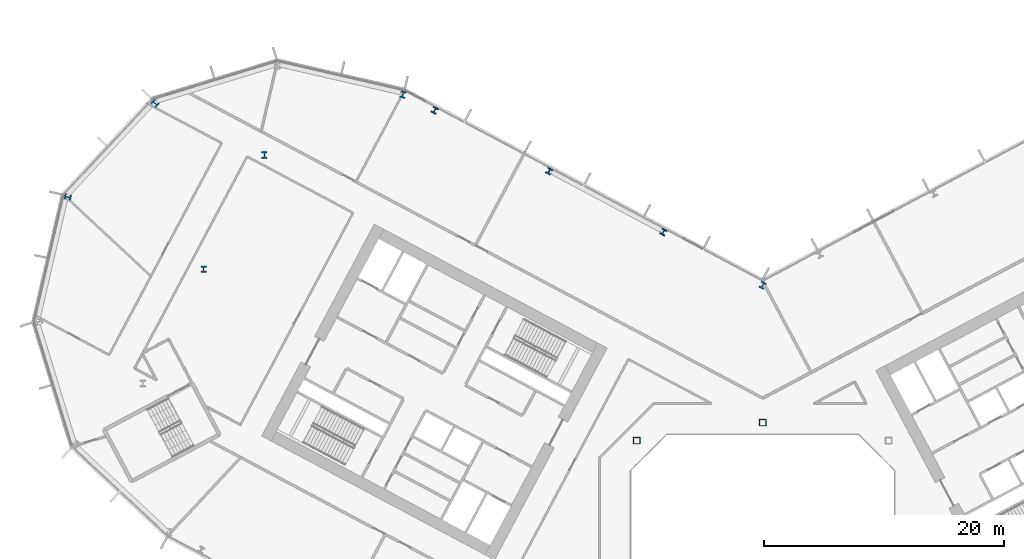
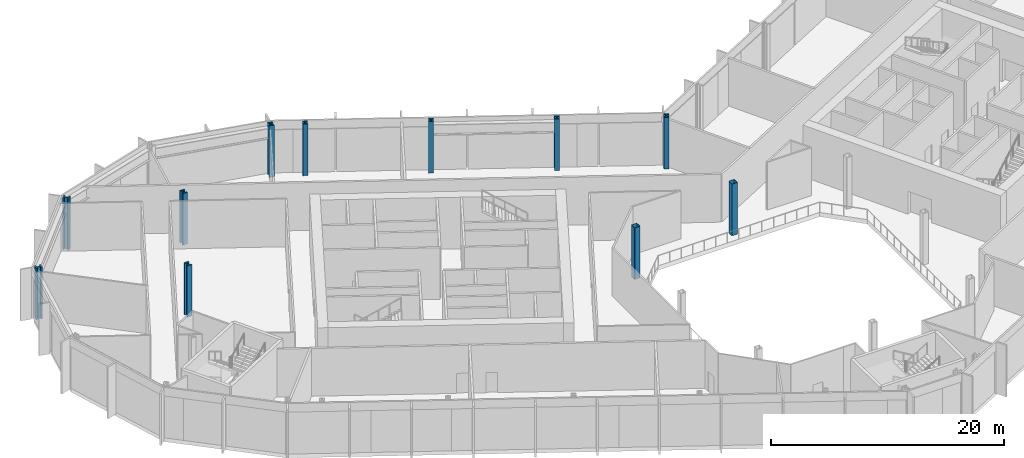
# One storey, part 2 of 32: 11 columns.
"""IFC4 building model written with IfcOpenShell, lengths in metres."""

from ifc_helpers import new_model, si_unit, direction, frame, origin, origin_2d, place, context, subcontext, project, spatial, hollow_rectangle, i_section, extrude, material, material_profile, profile_set, type_object, element, save


model = new_model("IFC4")

# Units and contexts
model_context = context("Model", 3, precision=1e-05, world=origin(), true_north=direction((0.0, 1.0)))
body_context = subcontext(model_context, "Body", "Model", "MODEL_VIEW")
ifc_project = project(units=[si_unit("LENGTHUNIT", "METRE"), si_unit("AREAUNIT", "SQUARE_METRE"), si_unit("VOLUMEUNIT", "CUBIC_METRE"), si_unit("PLANEANGLEUNIT", "RADIAN"), si_unit("MASSUNIT", "GRAM", prefix="KILO")], contexts=[model_context])

# Site, building, storey
site_placement = place(None, origin())
site = spatial("IfcSite", under=ifc_project, at=site_placement, CompositionType="ELEMENT")
building_placement = place(site_placement, origin())
building = spatial("IfcBuilding", under=site, at=building_placement, Name="Cormorant Relay Tower", CompositionType="ELEMENT")
storey_placement = place(building_placement, frame((0.0, 0.0, 60.800048828125)))
storey = spatial("IfcBuildingStorey", under=building, at=storey_placement, Name="L11", CompositionType="ELEMENT", Elevation=60.800048828125)

# Columns
ifc_material_1 = material(Name="Steel ASTM A1085 Grade A (Fy 345 MPa)", Category="steel")
ifc_material_profile_1 = material_profile(ifc_material_1, hollow_rectangle(XDim=0.558837890625, YDim=0.558837890625, WallThickness=0.023681640625, InnerFilletRadius=0.01171875, OuterFilletRadius=0.035400390625, at=origin_2d()), Name="HSS559x559x24")
ifc_profile_set_1 = profile_set([ifc_material_profile_1], Name="Steel ASTM A1085 Grade A (Fy 345 MPa)")
column_type_1 = type_object("IfcColumnType", Name="Column HSS559x559x24", PredefinedType="COLUMN", material=ifc_profile_set_1)
for number, where, z_axis, x_axis, name in (
    (1, (-10.5, 10.5, 0.0), (0.0, 0.0, 1.0), (1.0, 0.0, 0.0), "Column L11-022"),
    (2, (0.0, 12.0, 0.0), (0.0, 0.0, 1.0), (1.0, 0.0, 0.0), "Column L11-024"),
):
    element("IfcColumn", number, at=place(storey_placement, frame(where, z_axis=z_axis, x_axis=x_axis)), inside=storey, type_object=column_type_1, Name=name, PredefinedType="COLUMN", context=body_context, shape_type="SweptSolid", body=[
        extrude(hollow_rectangle(XDim=0.558837890625, YDim=0.558837890625, WallThickness=0.023681640625, InnerFilletRadius=0.01171875, OuterFilletRadius=0.035400390625, at=origin_2d()), origin(), (0.0, 0.0, 1.0), 5.39990234375),
    ])
ifc_material_2 = material(Name="Steel ASTM A992 (Fy 345 MPa)", Category="steel")
ifc_material_profile_2 = material_profile(ifc_material_2, i_section(OverallWidth=0.45458984375, OverallDepth=0.569091796875, WebThickness=0.077880859375, FlangeThickness=0.124755859375, FilletRadius=0.015380859375, at=origin_2d()), Name="W360x1086")
ifc_profile_set_2 = profile_set([ifc_material_profile_2], Name="Steel ASTM A992 (Fy 345 MPa)")
column_type_2 = type_object("IfcColumnType", Name="Column W360x1086", PredefinedType="COLUMN", material=ifc_profile_set_2)
for number, where, z_axis, x_axis, name in (
    (3, (0.0, 23.4541015625, 0.0), (0.0, 0.0, 1.0), (-0.882947592859, 0.469471562786, 0.0), "Column L11-032"),
    (4, (-46.6201171875, 24.7880859375, 0.0), (0.0, 0.0, 1.0), (1.0, 0.0, 0.0), "Column L11-034"),
    (5, (-57.93896484375, 30.806884765625, 0.0), (0.0, 0.0, 1.0), (-0.224951054344, -0.974370064785, 0.0), "Column L11-038"),
    (6, (-41.549072265625, 34.323974609375, 0.0), (0.0, 0.0, 1.0), (1.0, 0.0, 0.0), "Column L11-043"),
    (7, (-50.659912109375, 38.613037109375, 0.0), (0.0, 0.0, 1.0), (-0.681998360062, -0.731353701619, 0.0), "Column L11-047"),
    (8, (-29.992919921875, 39.35009765625, 0.0), (0.0, 0.0, 1.0), (-0.974370064785, 0.224951054344, 0.0), "Column L11-048"),
):
    element("IfcColumn", number, at=place(storey_placement, frame(where, z_axis=z_axis, x_axis=x_axis)), inside=storey, type_object=column_type_2, Name=name, PredefinedType="COLUMN", context=body_context, shape_type="SweptSolid", body=[
        extrude(i_section(OverallWidth=0.45458984375, OverallDepth=0.569091796875, WebThickness=0.077880859375, FlangeThickness=0.124755859375, FilletRadius=0.015380859375, at=origin_2d()), origin(), (0.0, 0.0, 1.0), 5.39990234375),
    ])
ifc_material_3 = material(Name="Steel ASTM A992 (Fy 345 MPa)", Category="steel")
ifc_material_profile_3 = material_profile(ifc_material_3, i_section(OverallWidth=0.43701171875, OverallDepth=0.51318359375, WebThickness=0.060546875, FlangeThickness=0.096923828125, FilletRadius=0.015380859375, at=origin_2d()), Name="W360x818")
ifc_profile_set_3 = profile_set([ifc_material_profile_3], Name="Steel ASTM A992 (Fy 345 MPa)")
column_type_3 = type_object("IfcColumnType", Name="Column W360x818", PredefinedType="COLUMN", material=ifc_profile_set_3)
for number, where, z_axis, x_axis, name in (
    (9, (-8.27490234375, 27.889892578125, 0.0), (0.0, 0.0, 1.0), (-0.882947592859, 0.469471562786, 0.0), "Column L11-036"),
    (10, (-17.81103515625, 32.9599609375, 0.0), (0.0, 0.0, 1.0), (-0.882947592859, 0.469471562786, 0.0), "Column L11-041"),
    (11, (-27.346923828125, 38.030029296875, 0.0), (0.0, 0.0, 1.0), (-0.882947592859, 0.469471562786, 0.0), "Column L11-046"),
):
    element("IfcColumn", number, at=place(storey_placement, frame(where, z_axis=z_axis, x_axis=x_axis)), inside=storey, type_object=column_type_3, Name=name, PredefinedType="COLUMN", context=body_context, shape_type="SweptSolid", body=[
        extrude(i_section(OverallWidth=0.43701171875, OverallDepth=0.51318359375, WebThickness=0.060546875, FlangeThickness=0.096923828125, FilletRadius=0.015380859375, at=origin_2d()), origin(), (0.0, 0.0, 1.0), 5.39990234375),
    ])

save(model, "model.ifc")
